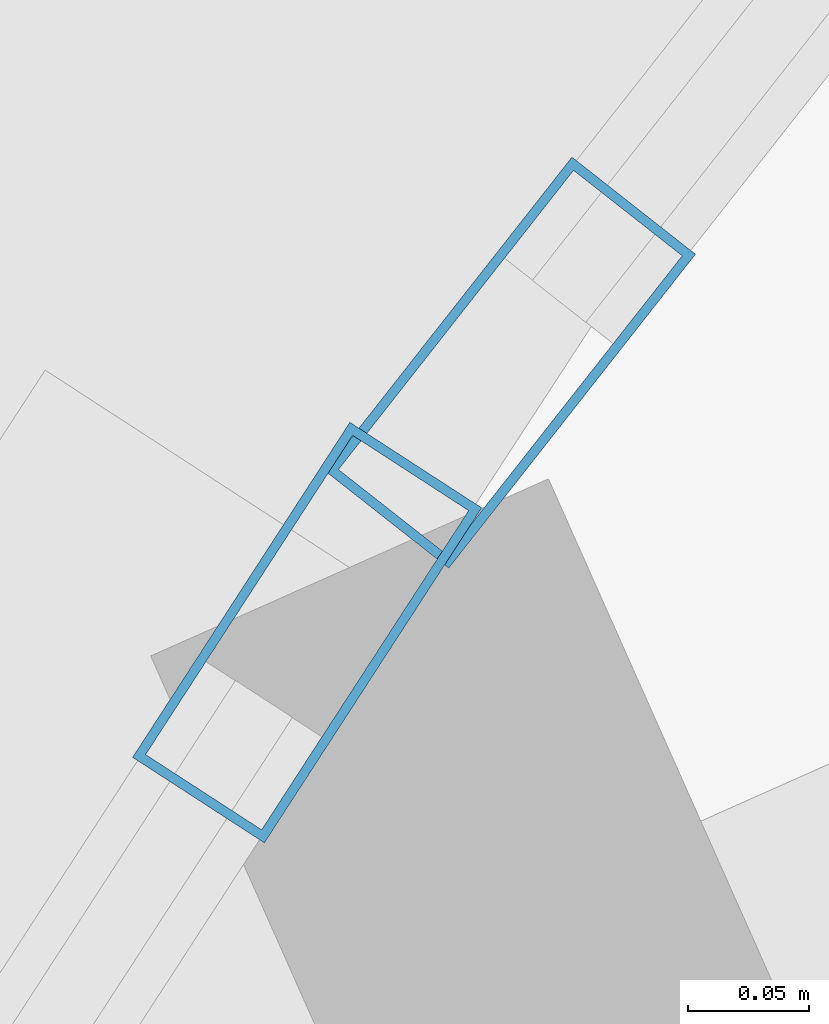
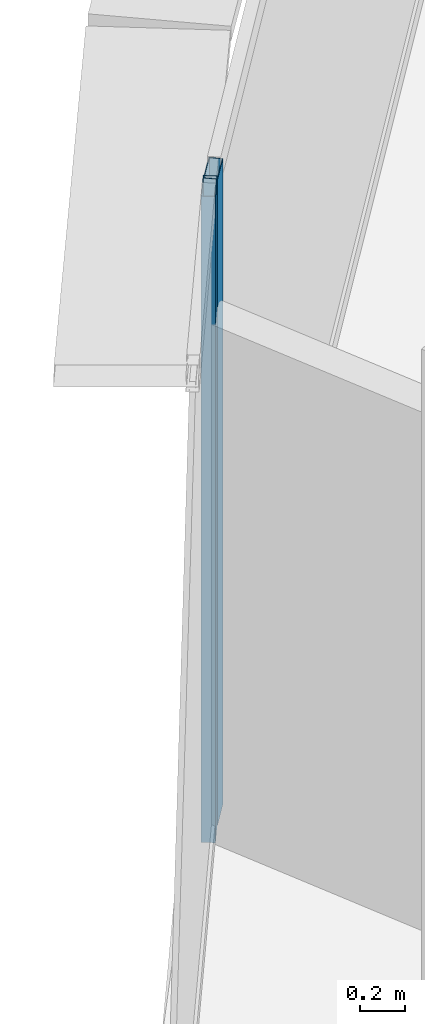
# One storey, part 16 of 39: 2 members, 2 elements without a shape of their own.
"""IFC4 building model written with IfcOpenShell, lengths in metres."""

import ifcopenshell
import ifcopenshell.guid

model = None  # the IFC model being written
_history = None  # IfcOwnerHistory: only IFC2X3 demands one
_inside = {}  # id of a spatial element -> (the spatial element, [elements in it])
_under = {}  # id of a project, library or spatial element -> (it, [spatial elements below it])
_declared = {}  # id of a project -> (the project, [libraries it declares])
_typed = {}  # id of a type object -> (the type object, [elements of that type])
_made_of = {}  # id of a material, layer set ... -> (it, [elements and type objects made of it])


def new_model(schema):
    """Start an empty IFC model of exactly this schema.

    Asked for "IFC4X3", IfcOpenShell would pick the latest addendum, in which some entities
    have other attributes; the version numbers below select the first issue.
    IFC2X3 requires an IfcOwnerHistory on every rooted entity: one is made here for all.
    """
    global model, _history
    if schema == "IFC4X3":
        model = ifcopenshell.file(schema_version=(4, 3, 0, 0))
    else:
        model = ifcopenshell.file(schema=schema)
    _inside.clear()
    _under.clear()
    _declared.clear()
    _typed.clear()
    _made_of.clear()
    _history = None
    if model.schema == "IFC2X3":
        org = make("IfcOrganization", Name="unknown")
        user = make(
            "IfcPersonAndOrganization",
            ThePerson=make("IfcPerson", FamilyName="unknown"),
            TheOrganization=org,
        )
        app = make(
            "IfcApplication",
            ApplicationDeveloper=org,
            Version="unknown",
            ApplicationFullName="unknown",
            ApplicationIdentifier="unknown",
        )
        _history = make(
            "IfcOwnerHistory",
            OwningUser=user,
            OwningApplication=app,
            ChangeAction="ADDED",
            CreationDate=0,
        )
    return model


def make(cls, **values):
    """One entity of the class cls with the attributes given. An attribute that is None is left unset."""
    return model.create_entity(
        cls, **{name: value for name, value in values.items() if value is not None}
    )


def rooted(cls, **values):
    """An entity with a GlobalId (a new one), such as an element, a storey or a relation."""
    return make(cls, GlobalId=ifcopenshell.guid.new(), OwnerHistory=_history, **values)


def si_unit(unit_type, name, prefix=None):
    """IfcSIUnit, for example si_unit("LENGTHUNIT", "METRE", prefix="MILLI")."""
    return make("IfcSIUnit", UnitType=unit_type, Prefix=prefix, Name=name)


def assignment(units):
    """IfcUnitAssignment: the units of a project."""
    return None if units is None else make("IfcUnitAssignment", Units=units)


def point(xyz):
    """IfcCartesianPoint."""
    return None if xyz is None else make("IfcCartesianPoint", Coordinates=xyz)


def direction(xyz):
    """IfcDirection."""
    return None if xyz is None else make("IfcDirection", DirectionRatios=xyz)


def frame(location, z_axis=None, x_axis=None):
    """IfcAxis2Placement3D, a coordinate frame: its origin and axes. An axis left out is left unset."""
    return make(
        "IfcAxis2Placement3D",
        Location=point(location),
        Axis=direction(z_axis),
        RefDirection=direction(x_axis),
    )


def frame_2d(location, x_axis=None):
    """IfcAxis2Placement2D, a coordinate frame in the plane: its origin and x axis."""
    return make(
        "IfcAxis2Placement2D", Location=point(location), RefDirection=direction(x_axis)
    )


def origin():
    """The frame at (0, 0, 0) with its axes left unset."""
    return frame((0.0, 0.0, 0.0))


def origin_2d():
    """The frame at (0, 0) in the plane with its x axis left unset."""
    return frame_2d((0.0, 0.0))


def place(relative_to, where):
    """IfcLocalPlacement: puts the frame where relative to a parent placement (None: the world)."""
    return make(
        "IfcLocalPlacement", PlacementRelTo=relative_to, RelativePlacement=where
    )


def context(
    kind, dimensions, precision=None, world=None, true_north=None, identifier=None
):
    """IfcGeometricRepresentationContext, for example the 3D "Model" context."""
    return make(
        "IfcGeometricRepresentationContext",
        ContextIdentifier=identifier,
        ContextType=kind,
        CoordinateSpaceDimension=dimensions,
        Precision=precision,
        WorldCoordinateSystem=world,
        TrueNorth=true_north,
    )


def subcontext(parent, identifier, kind, view, scale=None):
    """IfcGeometricRepresentationSubContext, for example "Body" below "Model"."""
    return make(
        "IfcGeometricRepresentationSubContext",
        ContextIdentifier=identifier,
        ContextType=kind,
        ParentContext=parent,
        TargetScale=scale,
        TargetView=view,
    )


def project(units=None, contexts=None):
    """IfcProject with its units and contexts."""
    return rooted(
        "IfcProject",
        Name="project",
        RepresentationContexts=contexts,
        UnitsInContext=assignment(units),
    )


def spatial(cls, under=None, at=None, **own):
    """A site, building, storey or space (cls), placed at a placement, below another one or the project."""
    s = rooted(cls, ObjectPlacement=at, **own)
    if under is not None:
        _under.setdefault(under.id(), (under, []))[1].append(s)
    return s


def profile(cls, at=None, kind="AREA", **sizes):
    """A parametric profile (cls). Its sizes go by their IFC names, for example OverallWidth=200.0."""
    return make(cls, ProfileType=kind, Position=at, **sizes)


def hollow_rectangle(**sizes):
    """IfcRectangleHollowProfileDef."""
    return profile("IfcRectangleHollowProfileDef", **sizes)


def extrude(swept, where, along, depth):
    """IfcExtrudedAreaSolid: the profile swept, set in the frame where, extruded along a direction by depth."""
    return make(
        "IfcExtrudedAreaSolid",
        SweptArea=swept,
        Position=where,
        ExtrudedDirection=direction(along),
        Depth=depth,
    )


def shape(context_of_items, identifier, shape_type, items):
    """IfcShapeRepresentation: the items that make up one representation, for example the "Body"."""
    return make(
        "IfcShapeRepresentation",
        ContextOfItems=context_of_items,
        RepresentationIdentifier=identifier,
        RepresentationType=shape_type,
        Items=items,
    )


def source(mapping_origin, context_of_items, identifier, shape_type, items):
    """IfcRepresentationMap: a shape defined once, which mapped items show again and again."""
    return make(
        "IfcRepresentationMap",
        MappingOrigin=mapping_origin,
        MappedRepresentation=shape(context_of_items, identifier, shape_type, items),
    )


def transform(
    local_origin,
    x_axis=None,
    y_axis=None,
    z_axis=None,
    scale=None,
    scale2=None,
    scale3=None,
    uniform=True,
):
    """IfcCartesianTransformationOperator3D, or its non-uniform kind. x_axis, y_axis, z_axis: its Axis1, 2, 3."""
    if uniform:
        return make(
            "IfcCartesianTransformationOperator3D",
            Axis1=direction(x_axis),
            Axis2=direction(y_axis),
            LocalOrigin=point(local_origin),
            Scale=scale,
            Axis3=direction(z_axis),
        )
    return make(
        "IfcCartesianTransformationOperator3DnonUniform",
        Axis1=direction(x_axis),
        Axis2=direction(y_axis),
        LocalOrigin=point(local_origin),
        Scale=scale,
        Axis3=direction(z_axis),
        Scale2=scale2,
        Scale3=scale3,
    )


def mapped(mapping_source, mapping_target):
    """IfcMappedItem: shows the shape of a source again, moved by a transform."""
    return make(
        "IfcMappedItem", MappingSource=mapping_source, MappingTarget=mapping_target
    )


def material(Name=None, Category=None):
    """IfcMaterial."""
    return make("IfcMaterial", Name=Name, Category=Category)


def layer(
    of_material, thickness, ventilated=None, Name=None, Category=None, Priority=None
):
    """IfcMaterialLayer: one layer of a wall or slab, of a material (None: an air gap)."""
    return make(
        "IfcMaterialLayer",
        Material=of_material,
        LayerThickness=thickness,
        IsVentilated=ventilated,
        Name=Name,
        Category=Category,
        Priority=Priority,
    )


def layer_set(layers, Name=None):
    """IfcMaterialLayerSet."""
    return make("IfcMaterialLayerSet", MaterialLayers=layers, LayerSetName=Name)


def material_profile(
    of_material, cross_section, Name=None, Category=None, Priority=None
):
    """IfcMaterialProfile: a cross section and its material."""
    return make(
        "IfcMaterialProfile",
        Name=Name,
        Material=of_material,
        Profile=cross_section,
        Priority=Priority,
        Category=Category,
    )


def profile_set(profiles, Name=None, composite=None):
    """IfcMaterialProfileSet."""
    return make(
        "IfcMaterialProfileSet",
        Name=Name,
        MaterialProfiles=profiles,
        CompositeProfile=composite,
    )


def made_of(thing, what):
    """Note that an element or type object is made of a material, layer set ...; save() writes the relation."""
    if what is not None:
        _made_of.setdefault(what.id(), (what, []))[1].append(thing)
    return thing


def type_object(cls, material=None, **own):
    """A type object (cls), such as IfcWallType, which elements share."""
    return made_of(rooted(cls, **own), material)


def element(
    cls,
    number,
    at=None,
    inside=None,
    cuts=None,
    type_object=None,
    material=None,
    context=None,
    identifier="Body",
    shape_type=None,
    held_by="IfcProductDefinitionShape",
    body=None,
    shapes=None,
    **own,
):
    """One element of the class cls, such as IfcWall. Its Tag is "e" and its number.

    at: its placement. inside: the storey or other place that contains it. cuts: it is an
    opening in that element (IfcRelVoidsElement). A single representation is given by context,
    identifier, shape_type and body (its items); several are given by shapes. held_by: the class
    of the entity that holds the representations. save() writes the other relations.
    """
    e = rooted(cls, Tag="e%d" % number, ObjectPlacement=at, **own)
    if body is not None:
        shapes = [shape(context, identifier, shape_type, body)]
    if shapes is not None:
        e.Representation = make(held_by, Representations=shapes)
    if inside is not None:
        _inside.setdefault(inside.id(), (inside, []))[1].append(e)
    if cuts is not None:
        rooted(
            "IfcRelVoidsElement", RelatingBuildingElement=cuts, RelatedOpeningElement=e
        )
    if type_object is not None:
        _typed.setdefault(type_object.id(), (type_object, []))[1].append(e)
    return made_of(e, material)


def aggregate(whole, parts):
    """IfcRelAggregates: a whole, such as a stair, and the parts it consists of."""
    return rooted("IfcRelAggregates", RelatingObject=whole, RelatedObjects=parts)


def save(model, path):
    """Write the relations noted so far, then the file.

    IfcRelAggregates (storeys below a building ...), IfcRelContainedInSpatialStructure (elements
    in a storey), IfcRelDefinesByType, IfcRelAssociatesMaterial and IfcRelDeclares: one each for
    every whole, place, type object, material and project.
    """
    for whole, parts in _under.values():
        aggregate(whole, parts)
    for where, things in _inside.values():
        rooted(
            "IfcRelContainedInSpatialStructure",
            RelatedElements=things,
            RelatingStructure=where,
        )
    for kind, things in _typed.values():
        rooted("IfcRelDefinesByType", RelatedObjects=things, RelatingType=kind)
    for what, things in _made_of.values():
        rooted("IfcRelAssociatesMaterial", RelatedObjects=things, RelatingMaterial=what)
    for by, libraries in _declared.values():
        rooted("IfcRelDeclares", RelatingContext=by, RelatedDefinitions=libraries)
    model.write(path)


model = new_model("IFC4")

# Units and contexts
model_context = context("Model", 3, precision=1e-05, world=origin(), true_north=direction((0.0, 1.0)))
body_context = subcontext(model_context, "Body", "Model", "MODEL_VIEW")
ifc_project = project(units=[si_unit("LENGTHUNIT", "METRE"), si_unit("AREAUNIT", "SQUARE_METRE"), si_unit("VOLUMEUNIT", "CUBIC_METRE"), si_unit("PLANEANGLEUNIT", "RADIAN"), si_unit("MASSUNIT", "GRAM", prefix="KILO"), si_unit("THERMODYNAMICTEMPERATUREUNIT", "KELVIN"), si_unit("POWERUNIT", "WATT")], contexts=[model_context])

# Site, building, storey
site_placement = place(None, origin())
site = spatial("IfcSite", under=ifc_project, at=site_placement, CompositionType="ELEMENT")
building_placement = place(site_placement, origin())
building = spatial("IfcBuilding", under=site, at=building_placement, Name="Yunzhuo Pagoda Commons", CompositionType="ELEMENT")
storey_placement = place(building_placement, frame((0.0, 0.0, 100.179931640625)))
storey = spatial("IfcBuildingStorey", under=building, at=storey_placement, Name="L25", CompositionType="ELEMENT", Elevation=100.179931640625)

# Curtain wall, member
ifc_material = material(Name="Anodized aluminium 6063-T6", Category="aluminium")
ifc_layer = layer(ifc_material, 0.1650390625)
ifc_layer_set = layer_set([ifc_layer], Name="Anodized aluminium 6063-T6")
curtain_wall_type = type_object("IfcCurtainWallType", Name="CW-LOW Low-Zone Ribbon Curtain Wall", PredefinedType="NOTDEFINED", material=ifc_layer_set)
curtain_wall_1_placement = place(storey_placement, origin())
curtain_wall_1 = element("IfcCurtainWall", 1, at=curtain_wall_1_placement, inside=storey, type_object=curtain_wall_type, Name="L25 curtain wall CW-L25-F3B2", PredefinedType="NOTDEFINED")
ifc_material_profile = material_profile(ifc_material, hollow_rectangle(XDim=0.06494140625, YDim=0.1650390625, WallThickness=0.00390625, at=origin_2d()), Name="Anodized aluminium 6063-T6")
ifc_profile_set = profile_set([ifc_material_profile], Name="Anodized aluminium 6063-T6")
member_type = type_object("IfcMemberType", Name="CW-LOW-M Mullion RHS 165x65x4", PredefinedType="MULLION", material=ifc_profile_set)
shared_shape = source(origin(), body_context, "Body", "SweptSolid", [
    extrude(hollow_rectangle(XDim=0.06494140625, YDim=0.1650390625, WallThickness=0.00390625, at=origin_2d()), origin(), (0.0, 0.0, 1.0), 3.5400390625),
])
member_1_placement = place(storey_placement, frame((31.212158203125, 71.339599609375, 0.0), z_axis=(0.0, 0.0, 1.0), x_axis=(0.838972259493, -0.544174188841, 0.0)))
member_1 = element("IfcMember", 2, at=member_1_placement, type_object=member_type, Name="CW mullion 1", PredefinedType="MULLION", context=body_context, shape_type="MappedRepresentation", body=[
    mapped(shared_shape, transform((0.0, 0.0, 0.0), scale=1.0)),
])
aggregate(curtain_wall_1, [member_1])

curtain_wall_2_placement = place(storey_placement, origin())
curtain_wall_2 = element("IfcCurtainWall", 3, at=curtain_wall_2_placement, inside=storey, type_object=curtain_wall_type, Name="L25 curtain wall CW-L25-F3B1", PredefinedType="NOTDEFINED")
member_2_placement = place(storey_placement, frame((31.296142578125, 71.451171875, 0.0), z_axis=(0.0, 0.0, 1.0), x_axis=(0.786214870416, -0.617953216301, 0.0)))
member_2 = element("IfcMember", 4, at=member_2_placement, type_object=member_type, Name="CW mullion 2", PredefinedType="MULLION", context=body_context, shape_type="MappedRepresentation", body=[
    mapped(shared_shape, transform((0.0, 0.0, 0.0), scale=1.0)),
])
aggregate(curtain_wall_2, [member_2])

save(model, "model.ifc")
